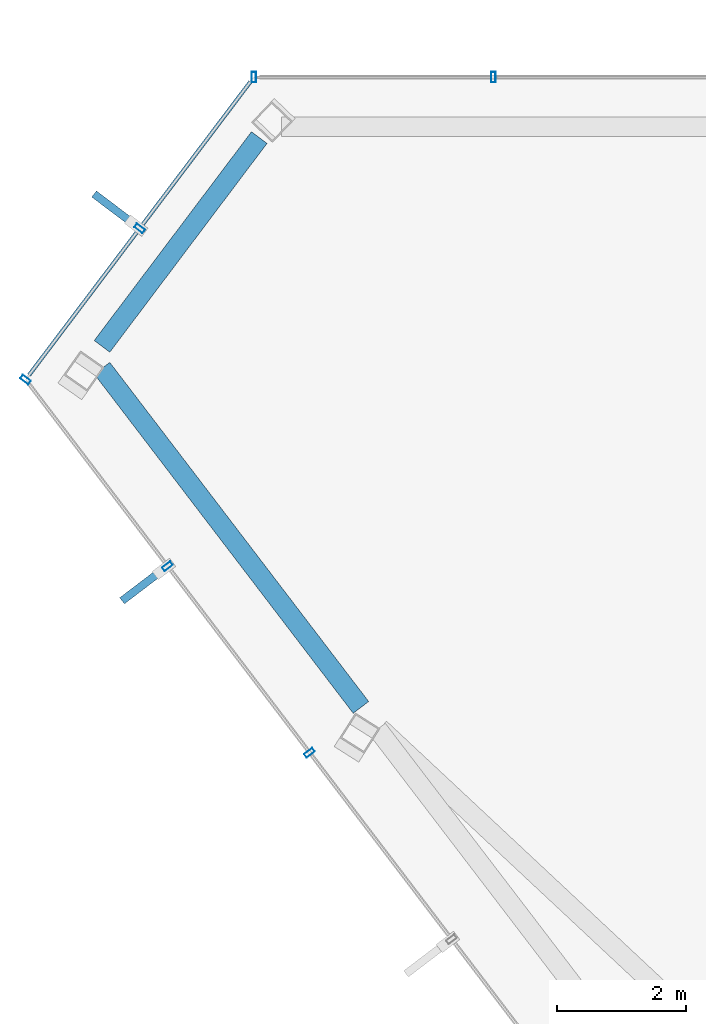
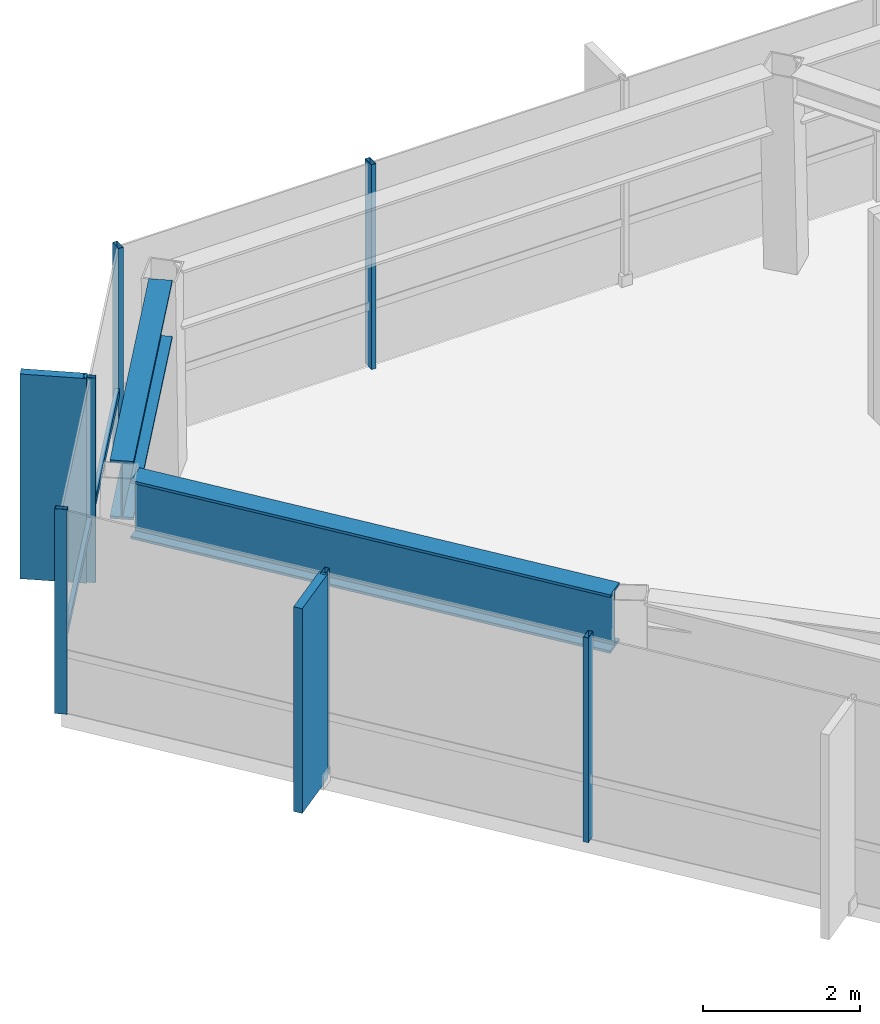
# One storey, part 8 of 21: 9 members, 2 beams, 3 elements without a shape of their own.
"""IFC4 building model written with IfcOpenShell, lengths in metres."""

from ifc_helpers import new_model, si_unit, direction, frame, origin, origin_2d, place, context, subcontext, project, spatial, rectangle, hollow_rectangle, i_section, extrude, material, layer, layer_set, material_profile, profile_set, type_object, element, aggregate, save


model = new_model("IFC4")

# Units and contexts
model_context = context("Model", 3, precision=1e-05, world=origin(), true_north=direction((0.0, 1.0)))
body_context = subcontext(model_context, "Body", "Model", "MODEL_VIEW")
ifc_project = project(units=[si_unit("LENGTHUNIT", "METRE"), si_unit("AREAUNIT", "SQUARE_METRE"), si_unit("VOLUMEUNIT", "CUBIC_METRE"), si_unit("PLANEANGLEUNIT", "RADIAN"), si_unit("MASSUNIT", "GRAM", prefix="KILO")], contexts=[model_context])

# Site, building, storey
site_placement = place(None, origin())
site = spatial("IfcSite", under=ifc_project, at=site_placement, CompositionType="ELEMENT")
building_placement = place(site_placement, origin())
building = spatial("IfcBuilding", under=site, at=building_placement, Name="Zarrinselat Tower", CompositionType="ELEMENT")
storey_placement = place(building_placement, frame((0.0, 0.0, 285.60009765625)))
storey = spatial("IfcBuildingStorey", under=building, at=storey_placement, Name="L73", CompositionType="ELEMENT", Elevation=285.60009765625)

# Beams
ifc_material_1 = material(Name="Steel S460M", Category="steel")
ifc_material_profile_1 = material_profile(ifc_material_1, i_section(OverallWidth=0.302001953125, OverallDepth=0.909912109375, WebThickness=0.02099609375, FlangeThickness=0.0400390625, at=origin_2d()), Name="HEM 900")
ifc_profile_set_1 = profile_set([ifc_material_profile_1], Name="Steel S460M")
beam_type = type_object("IfcBeamType", Name="BM-HEM900", PredefinedType="BEAM", material=ifc_profile_set_1)
beam_1_placement = place(storey_placement, frame((17.4892578125, 43.460205078125, 2.724853515625), z_axis=(0.601656958358, 0.798754595893, 0.0), x_axis=(-0.798754595893, 0.601656958358, 0.0)))
element("IfcBeam", 1, at=beam_1_placement, inside=storey, type_object=beam_type, Name="L73 Perimeter Spandrel Girder SP05", PredefinedType="BEAM", context=body_context, shape_type="SweptSolid", body=[
    extrude(i_section(OverallWidth=0.302001953125, OverallDepth=0.909912109375, WebThickness=0.02099609375, FlangeThickness=0.0400390625, at=origin_2d()), origin(), (0.0, 0.0, 1.0), 4.0517578125),
])
beam_2_placement = place(storey_placement, frame((17.490234375, 43.120849609375, 2.724853515625), z_axis=(0.606819456319, -0.794839699205, 0.0), x_axis=(0.794839699205, 0.606819456319, 0.0)))
element("IfcBeam", 2, at=beam_2_placement, inside=storey, type_object=beam_type, Name="L73 Perimeter Spandrel Girder SP06", PredefinedType="BEAM", context=body_context, shape_type="SweptSolid", body=[
    extrude(i_section(OverallWidth=0.302001953125, OverallDepth=0.909912109375, WebThickness=0.02099609375, FlangeThickness=0.0400390625, at=origin_2d()), origin(), (0.0, 0.0, 1.0), 6.61181640625),
])

# Curtain wall, members
ifc_material_2 = material(Name="Extruded Aluminium Alloy EN AW-6063 T6", Category="aluminium")
ifc_layer = layer(ifc_material_2, 0.169921875)
ifc_layer_set = layer_set([ifc_layer], Name="Extruded Aluminium Alloy EN AW-6063 T6")
curtain_wall_type = type_object("IfcCurtainWallType", Name="CWS-RES", PredefinedType="NOTDEFINED", material=ifc_layer_set)
curtain_wall_1_placement = place(storey_placement, origin())
curtain_wall_1 = element("IfcCurtainWall", 3, at=curtain_wall_1_placement, inside=storey, type_object=curtain_wall_type, Name="L73 Unitised Curtain Wall CW-L73-E01", PredefinedType="NOTDEFINED")
ifc_material_3 = material(Name="Extruded Aluminium Alloy EN AW-6063 T6", Category="aluminium")
ifc_material_profile_2 = material_profile(ifc_material_3, hollow_rectangle(XDim=0.070068359375, YDim=0.159912109375, WallThickness=0.00390625, at=origin_2d()), Name="RHS 160x70x4")
ifc_profile_set_2 = profile_set([ifc_material_profile_2], Name="Extruded Aluminium Alloy EN AW-6063 T6")
member_type_1 = type_object("IfcMemberType", Name="MEM-CW-MUL2", PredefinedType="MULLION", material=ifc_profile_set_2)
member_1_placement = place(storey_placement, frame((23.55419921875, 47.63330078125, 0.0), z_axis=(0.0, 0.0, 1.0), x_axis=(-1.0, 0.0, 0.0)))
member_1 = element("IfcMember", 4, at=member_1_placement, type_object=member_type_1, Name="CW-L73-E01 Mullion 12", PredefinedType="MULLION", context=body_context, shape_type="SweptSolid", body=[
    extrude(hollow_rectangle(XDim=0.070068359375, YDim=0.159912109375, WallThickness=0.00390625, at=origin_2d()), origin(), (0.0, 0.0, 1.0), 3.179931640625),
])
member_2_placement = place(storey_placement, frame((19.843017578125, 47.63330078125, 0.0), z_axis=(0.0, 0.0, 1.0), x_axis=(-1.0, 0.0, 0.0)))
member_2 = element("IfcMember", 5, at=member_2_placement, type_object=member_type_1, Name="CW-L73-E01 Mullion 13", PredefinedType="MULLION", context=body_context, shape_type="SweptSolid", body=[
    extrude(hollow_rectangle(XDim=0.070068359375, YDim=0.159912109375, WallThickness=0.00390625, at=origin_2d()), origin(), (0.0, 0.0, 1.0), 3.179931640625),
])
aggregate(curtain_wall_1, [member_1, member_2])

curtain_wall_2_placement = place(storey_placement, origin())
curtain_wall_2 = element("IfcCurtainWall", 6, at=curtain_wall_2_placement, inside=storey, type_object=curtain_wall_type, Name="L73 Unitised Curtain Wall CW-L73-E02", PredefinedType="NOTDEFINED")
member_3_placement = place(storey_placement, frame((18.0732421875, 45.288818359375, 0.0), z_axis=(0.0, 0.0, 1.0), x_axis=(-0.602440051683, -0.798164133577, 0.0)))
member_3 = element("IfcMember", 7, at=member_3_placement, type_object=member_type_1, Name="CW-L73-E02 Mullion 1", PredefinedType="MULLION", context=body_context, shape_type="SweptSolid", body=[
    extrude(hollow_rectangle(XDim=0.070068359375, YDim=0.159912109375, WallThickness=0.00390625, at=origin_2d()), origin(), (0.0, 0.0, 1.0), 3.179931640625),
])
member_4_placement = place(storey_placement, frame((16.3037109375, 42.944091796875, 0.0), z_axis=(0.0, 0.0, 1.0), x_axis=(-0.602440051683, -0.798164133577, 0.0)))
member_4 = element("IfcMember", 8, at=member_4_placement, type_object=member_type_1, Name="CW-L73-E02 Mullion 2", PredefinedType="MULLION", context=body_context, shape_type="SweptSolid", body=[
    extrude(hollow_rectangle(XDim=0.070068359375, YDim=0.159912109375, WallThickness=0.00390625, at=origin_2d()), origin(), (0.0, 0.0, 1.0), 3.179931640625),
])

curtain_wall_3_placement = place(storey_placement, origin())
curtain_wall_3 = element("IfcCurtainWall", 9, at=curtain_wall_3_placement, inside=storey, type_object=curtain_wall_type, Name="L73 Unitised Curtain Wall CW-L73-E03", PredefinedType="NOTDEFINED")
member_5_placement = place(storey_placement, frame((18.50439453125, 40.053466796875, 0.0), z_axis=(0.0, 0.0, 1.0), x_axis=(0.60576733126, -0.795641841772, 0.0)))
member_5 = element("IfcMember", 10, at=member_5_placement, type_object=member_type_1, Name="CW-L73-E03 Mullion 1", PredefinedType="MULLION", context=body_context, shape_type="SweptSolid", body=[
    extrude(hollow_rectangle(XDim=0.070068359375, YDim=0.159912109375, WallThickness=0.00390625, at=origin_2d()), origin(), (0.0, 0.0, 1.0), 3.179931640625),
])
member_6_placement = place(storey_placement, frame((20.705078125, 37.162841796875, 0.0), z_axis=(0.0, 0.0, 1.0), x_axis=(0.60576733126, -0.795641841772, 0.0)))
member_6 = element("IfcMember", 11, at=member_6_placement, type_object=member_type_1, Name="CW-L73-E03 Mullion 2", PredefinedType="MULLION", context=body_context, shape_type="SweptSolid", body=[
    extrude(hollow_rectangle(XDim=0.070068359375, YDim=0.159912109375, WallThickness=0.00390625, at=origin_2d()), origin(), (0.0, 0.0, 1.0), 3.179931640625),
])

# Member
ifc_material_4 = material(Name="Extruded Aluminium Alloy EN AW-6063 T6", Category="aluminium")
ifc_material_profile_3 = material_profile(ifc_material_4, hollow_rectangle(XDim=0.06005859375, YDim=0.1201171875, WallThickness=0.00390625, at=origin_2d()), Name="RHS 120x60x4")
ifc_profile_set_3 = profile_set([ifc_material_profile_3], Name="Extruded Aluminium Alloy EN AW-6063 T6")
member_type_2 = type_object("IfcMemberType", Name="MEM-CW-TRN2", PredefinedType="USERDEFINED", material=ifc_profile_set_3)
member_7_placement = place(storey_placement, frame((19.788818359375, 47.5615234375, 0.949951171875), z_axis=(-0.602432156167, -0.79817009291, 0.0), x_axis=(0.79817009291, -0.602432156167, 0.0)))
member_7 = element("IfcMember", 12, at=member_7_placement, type_object=member_type_2, Name="CW-L73-E02 Transom 1", ObjectType="TRANSOM", PredefinedType="USERDEFINED", context=body_context, shape_type="SweptSolid", body=[
    extrude(hollow_rectangle(XDim=0.06005859375, YDim=0.1201171875, WallThickness=0.00390625, at=origin_2d()), origin(), (0.0, 0.0, 1.0), 5.695068359375),
])

ifc_material_5 = material(Name="Honed Cream Travertine Stone", Category="masonry")
ifc_material_profile_4 = material_profile(ifc_material_5, rectangle(XDim=0.1201171875, YDim=0.85009765625, at=origin_2d()), Name="FIN 850x120")
ifc_profile_set_4 = profile_set([ifc_material_profile_4], Name="Honed Cream Travertine Stone")
member_type_3 = type_object("IfcMemberType", Name="MEM-STONE-FIN", PredefinedType="USERDEFINED", material=ifc_profile_set_4)
member_8_placement = place(storey_placement, frame((17.7060546875, 45.56591796875, 0.0), z_axis=(0.0, 0.0, 1.0), x_axis=(0.602440051683, 0.798164133577, 0.0)))
member_8 = element("IfcMember", 13, at=member_8_placement, type_object=member_type_3, Name="L73 Stone Shading Fin CW-L73-E02-01", ObjectType="FIN", PredefinedType="USERDEFINED", context=body_context, shape_type="SweptSolid", body=[
    extrude(rectangle(XDim=0.1201171875, YDim=0.85009765625, at=origin_2d()), origin(), (0.0, 0.0, 1.0), 3.179931640625),
])

aggregate(curtain_wall_2, [member_3, member_8, member_4, member_7])

member_9_placement = place(storey_placement, frame((18.138427734375, 39.774658203125, 0.0), z_axis=(0.0, 0.0, 1.0), x_axis=(-0.60576733126, 0.795641841772, 0.0)))
member_9 = element("IfcMember", 14, at=member_9_placement, type_object=member_type_3, Name="L73 Stone Shading Fin CW-L73-E03-01", ObjectType="FIN", PredefinedType="USERDEFINED", context=body_context, shape_type="SweptSolid", body=[
    extrude(rectangle(XDim=0.1201171875, YDim=0.85009765625, at=origin_2d()), origin(), (0.0, 0.0, 1.0), 3.179931640625),
])

aggregate(curtain_wall_3, [member_5, member_9, member_6])

save(model, "model.ifc")
